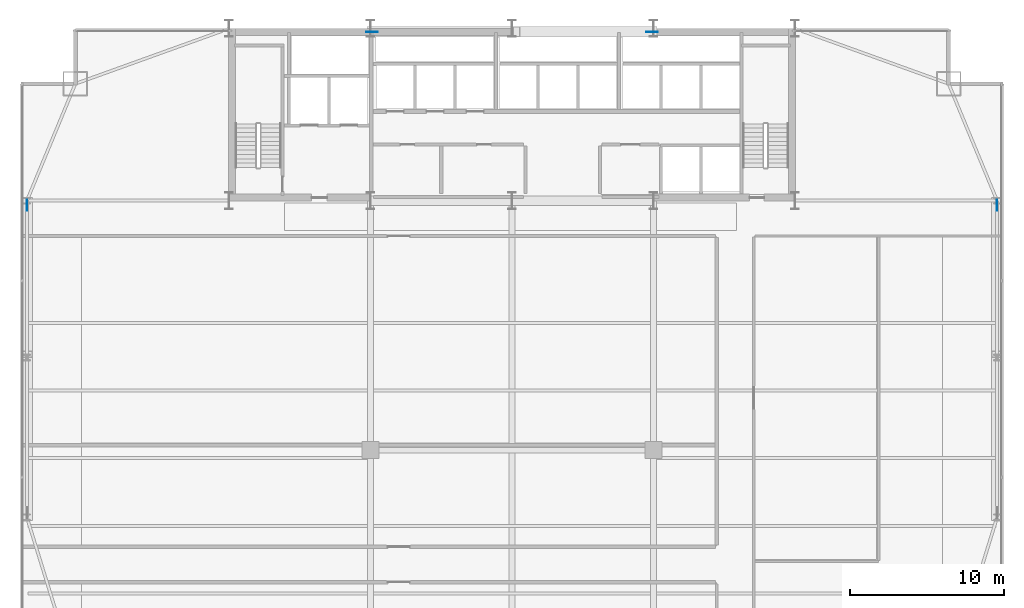
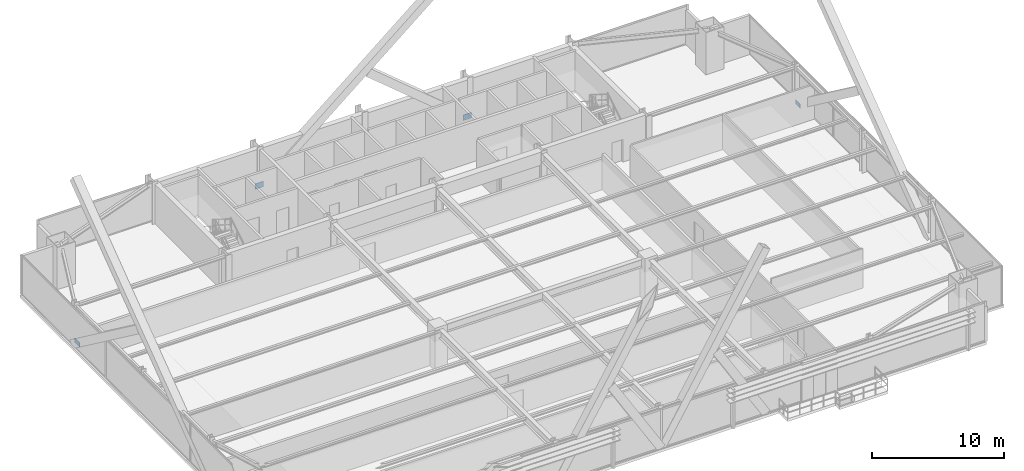
# One storey, part 27 of 32: 4 plates.
"""IFC4 building model written with IfcOpenShell, lengths in metres."""

from ifc_helpers import new_model, si_unit, direction, frame, origin, origin_2d, place, context, subcontext, project, spatial, rectangle, extrude, source, transform, mapped, material, layer, layer_set, type_object, type_shapes, element, save


model = new_model("IFC4")

# Units and contexts
model_context = context("Model", 3, precision=1e-05, world=origin(), true_north=direction((0.0, 1.0)))
body_context = subcontext(model_context, "Body", "Model", "MODEL_VIEW")
ifc_project = project(units=[si_unit("LENGTHUNIT", "METRE"), si_unit("AREAUNIT", "SQUARE_METRE"), si_unit("VOLUMEUNIT", "CUBIC_METRE"), si_unit("PLANEANGLEUNIT", "RADIAN"), si_unit("MASSUNIT", "GRAM", prefix="KILO")], contexts=[model_context])

# Site, building, storey
site_placement = place(None, origin())
site = spatial("IfcSite", under=ifc_project, at=site_placement, CompositionType="ELEMENT")
building_placement = place(site_placement, origin())
building = spatial("IfcBuilding", under=site, at=building_placement, Name="Varnel Quay Broadcast Tower", CompositionType="ELEMENT")
storey_placement = place(building_placement, frame((0.0, 0.0, 43.199951171875)))
storey = spatial("IfcBuildingStorey", under=building, at=storey_placement, Name="L09", CompositionType="ELEMENT", Elevation=43.199951171875)

# Plates
ifc_material = material(Name="Structural Steel CSA G40.21 350WT", Category="steel")
ifc_layer_1 = layer(ifc_material, 0.031982421875, Name="Structural Steel CSA G40.21 350WT")
ifc_layer_set_1 = layer_set([ifc_layer_1], Name="Structural Steel CSA G40.21 350WT")
plate_type_1 = type_object("IfcPlateType", Name="Plate_EndCap", PredefinedType="USERDEFINED", material=ifc_layer_set_1)
shared_shape_1 = source(origin(), body_context, "Body", "SweptSolid", [
    extrude(rectangle(XDim=0.719970703125, YDim=0.031982421875, at=origin_2d()), origin(), (0.0, 0.0, 1.0), 0.3798828125),
])
type_shapes(plate_type_1, [shared_shape_1])
for number, where, z_axis, x_axis, name in (
    (1, (2.449951171875, 35.294921875, 0.056884765625), (0.0, 0.0, 1.0), (0.0, 1.0, 0.0), "Zone 1 Mega-Brace W-FT2 Diag B1 End Connection Plate P0"),
    (2, (65.550048828125, 35.294921875, 0.056884765625), (0.0, 0.0, 1.0), (0.0, 1.0, 0.0), "Zone 1 Mega-Brace E-FT2 Diag B1 End Connection Plate P0"),
):
    element("IfcPlate", number, at=place(storey_placement, frame(where, z_axis=z_axis, x_axis=x_axis)), inside=storey, type_object=plate_type_1, Name=name, ObjectType="CAP_PLATE", PredefinedType="USERDEFINED", context=body_context, shape_type="MappedRepresentation", body=[
        mapped(shared_shape_1, transform((0.0, 0.0, 0.0), x_axis=(1.0, 0.0, 0.0), y_axis=(0.0, 1.0, 0.0), z_axis=(0.0, 0.0, 1.0), scale=1.0)),
    ])
ifc_layer_2 = layer(ifc_material, 0.0400390625, Name="Structural Steel CSA G40.21 350WT")
ifc_layer_set_2 = layer_set([ifc_layer_2], Name="Structural Steel CSA G40.21 350WT")
plate_type_2 = type_object("IfcPlateType", Name="Plate_EmbedPlate", PredefinedType="USERDEFINED", material=ifc_layer_set_2)
shared_shape_2 = source(origin(), body_context, "Body", "SweptSolid", [
    extrude(rectangle(XDim=0.739990234375, YDim=0.0400390625, at=origin_2d()), origin(), (0.0, 0.0, 1.0), 0.50390625),
])
type_shapes(plate_type_2, [shared_shape_2])
for number, where, z_axis, x_axis, name in (
    (3, (24.89208984375, 46.580078125, -0.155029296875), (0.0, 0.0, 1.0), (1.0, 0.0, 0.0), "Zone 1 Mega-Brace N-CT2 Diag A Wall Cast-In Embed Plate P0"),
    (4, (43.10791015625, 46.580078125, -0.155029296875), (0.0, 0.0, 1.0), (1.0, 0.0, 0.0), "Zone 1 Mega-Brace N-CT2 Diag B1 Wall Cast-In Embed Plate P0"),
):
    element("IfcPlate", number, at=place(storey_placement, frame(where, z_axis=z_axis, x_axis=x_axis)), inside=storey, type_object=plate_type_2, Name=name, ObjectType="EMBED_PLATE", PredefinedType="USERDEFINED", context=body_context, shape_type="MappedRepresentation", body=[
        mapped(shared_shape_2, transform((0.0, 0.0, 0.0), x_axis=(1.0, 0.0, 0.0), y_axis=(0.0, 1.0, 0.0), z_axis=(0.0, 0.0, 1.0), scale=1.0)),
    ])

save(model, "model.ifc")
